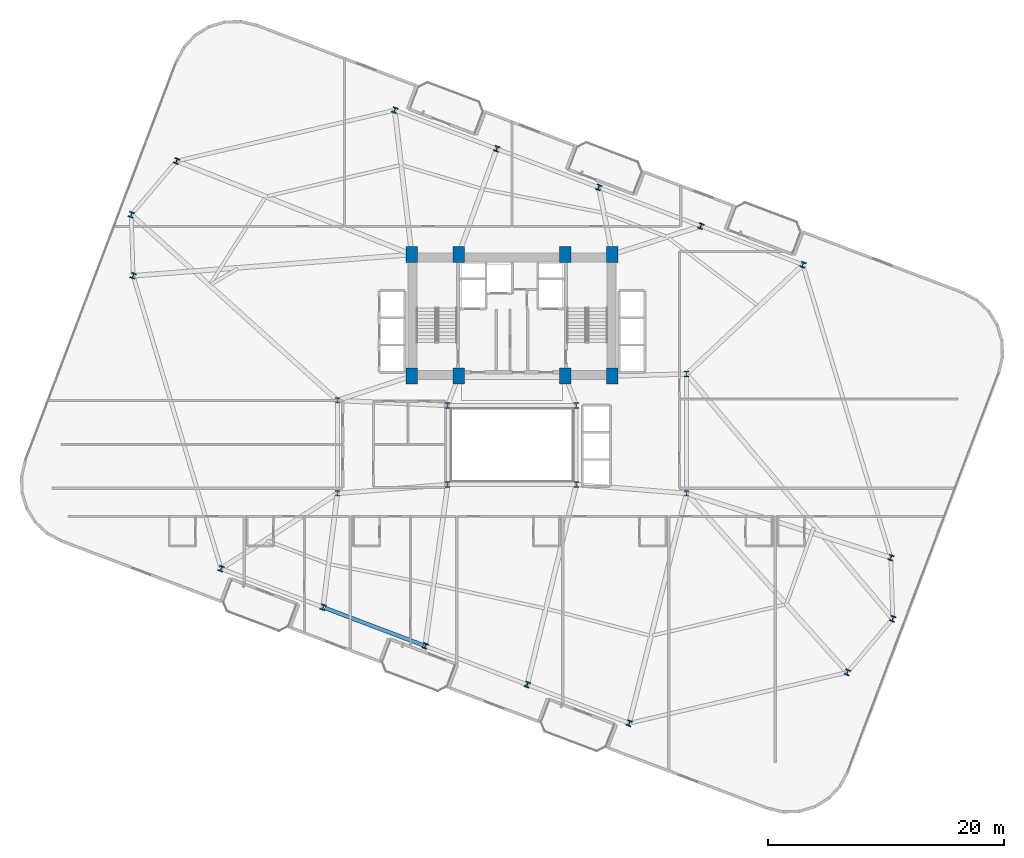
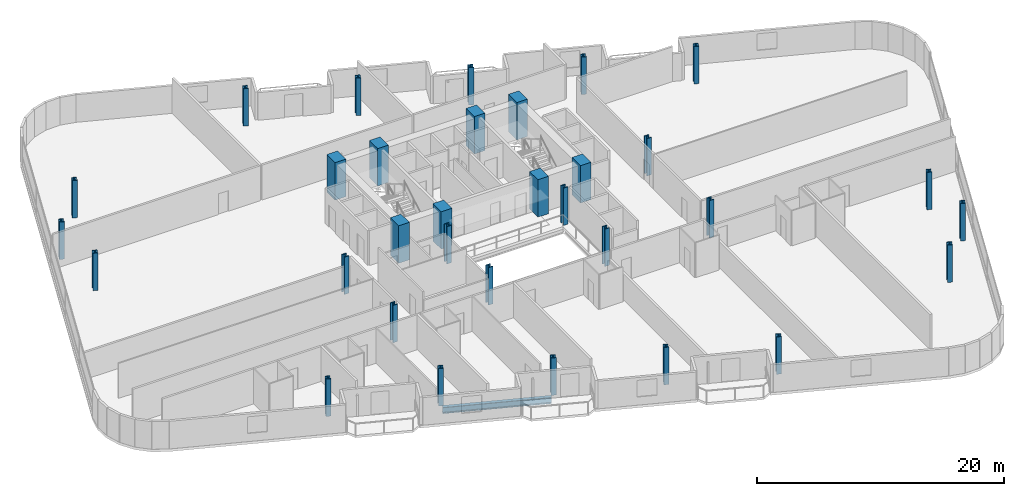
# One storey, part 1 of 25: 32 columns, 1 beam.
"""IFC4 building model written with IfcOpenShell, lengths in metres."""

from ifc_helpers import new_model, si_unit, direction, frame, origin, origin_2d, place, context, subcontext, project, spatial, rectangle, i_section, extrude, material, material_profile, profile_set, type_object, element, save


model = new_model("IFC4")

# Units and contexts
model_context = context("Model", 3, precision=1e-05, world=origin(), true_north=direction((0.0, 1.0)))
body_context = subcontext(model_context, "Body", "Model", "MODEL_VIEW")
ifc_project = project(units=[si_unit("LENGTHUNIT", "METRE"), si_unit("AREAUNIT", "SQUARE_METRE"), si_unit("VOLUMEUNIT", "CUBIC_METRE"), si_unit("PLANEANGLEUNIT", "RADIAN"), si_unit("MASSUNIT", "GRAM", prefix="KILO")], contexts=[model_context])

# Site, building, storey
site_placement = place(None, origin())
site = spatial("IfcSite", under=ifc_project, at=site_placement, CompositionType="ELEMENT")
building_placement = place(site_placement, origin())
building = spatial("IfcBuilding", under=site, at=building_placement, Name="Varnelok Gate Tower", CompositionType="ELEMENT")
storey_placement = place(building_placement, frame((0.0, 0.0, 79.89990234375)))
storey = spatial("IfcBuildingStorey", under=building, at=storey_placement, Name="L19", CompositionType="ELEMENT", Elevation=79.89990234375)

# Columns
ifc_material_1 = material(Name="Concrete C70/85", Category="concrete")
ifc_material_profile_1 = material_profile(ifc_material_1, rectangle(XDim=1.0, YDim=1.35009765625, at=origin_2d()), Name="RC1350X1000")
ifc_profile_set_1 = profile_set([ifc_material_profile_1], Name="Concrete C70/85")
column_type_1 = type_object("IfcColumnType", Name="COL-RC1350X1000", PredefinedType="COLUMN", material=ifc_profile_set_1)
for number, where, z_axis, x_axis, name in (
    (1, (30.699951171875, 28.75, 0.0), (0.0, 0.0, 1.0), (1.0, 0.0, 0.0), "L19 Core Spine Column SC1"),
    (2, (34.679931640625, 28.75, 0.0), (0.0, 0.0, 1.0), (1.0, 0.0, 0.0), "L19 Core Spine Column SC2"),
    (3, (43.719970703125, 28.75, 0.0), (0.0, 0.0, 1.0), (1.0, 0.0, 0.0), "L19 Core Spine Column SC3"),
    (4, (47.699951171875, 28.75, 0.0), (0.0, 0.0, 1.0), (1.0, 0.0, 0.0), "L19 Core Spine Column SC4"),
    (5, (30.699951171875, 39.050048828125, 0.0), (0.0, 0.0, 1.0), (1.0, 0.0, 0.0), "L19 Core Spine Column SC5"),
    (6, (34.679931640625, 39.050048828125, 0.0), (0.0, 0.0, 1.0), (1.0, 0.0, 0.0), "L19 Core Spine Column SC6"),
    (7, (43.719970703125, 39.050048828125, 0.0), (0.0, 0.0, 1.0), (1.0, 0.0, 0.0), "L19 Core Spine Column SC7"),
    (8, (47.699951171875, 39.050048828125, 0.0), (0.0, 0.0, 1.0), (1.0, 0.0, 0.0), "L19 Core Spine Column SC8"),
):
    element("IfcColumn", number, at=place(storey_placement, frame(where, z_axis=z_axis, x_axis=x_axis)), inside=storey, type_object=column_type_1, Name=name, PredefinedType="COLUMN", context=body_context, shape_type="SweptSolid", body=[
        extrude(rectangle(XDim=1.0, YDim=1.35009765625, at=origin_2d()), origin(), (0.0, 0.0, 1.0), 3.7001953125),
    ])
ifc_material_2 = material(Name="Structural Steel ASTM A992 Grade 50", Category="steel")
ifc_material_profile_2 = material_profile(ifc_material_2, i_section(OverallWidth=0.424072265625, OverallDepth=0.47412109375, WebThickness=0.047607421875, FlangeThickness=0.0771484375, FilletRadius=0.02490234375, at=origin_2d()), Name="W14X426")
ifc_profile_set_2 = profile_set([ifc_material_profile_2], Name="Structural Steel ASTM A992 Grade 50")
column_type_2 = type_object("IfcColumnType", Name="COL-W14X426", PredefinedType="COLUMN", material=ifc_profile_set_2)
for number, where, z_axis, x_axis, name in (
    (9, (33.75, 19.550048828125, 0.0), (0.0, 0.0, 1.0), (1.0, 0.0, 0.0), "L19 Atrium Spine Column AC1"),
    (10, (44.64990234375, 19.550048828125, 0.0), (0.0, 0.0, 1.0), (1.0, 0.0, 0.0), "L19 Atrium Spine Column AC2"),
    (11, (33.75, 26.25, 0.0), (0.0, 0.0, 1.0), (1.0, 0.0, 0.0), "L19 Atrium Spine Column AC3"),
    (12, (44.64990234375, 26.25, 0.0), (0.0, 0.0, 1.0), (1.0, 0.0, 0.0), "L19 Atrium Spine Column AC4"),
    (13, (24.39990234375, 18.800048828125, 0.0), (0.0, 0.0, 1.0), (1.0, 0.0, 0.0), "L19 Wing Spine Column WS1"),
    (14, (24.39990234375, 26.679931640625, 0.0), (0.0, 0.0, 1.0), (1.0, 0.0, 0.0), "L19 Wing Spine Column WS2"),
    (15, (54.0, 18.800048828125, 0.0), (0.0, 0.0, 1.0), (1.0, 0.0, 0.0), "L19 Wing Spine Column ES1"),
    (16, (54.0, 28.919921875, 0.0), (0.0, 0.0, 1.0), (1.0, 0.0, 0.0), "L19 Wing Spine Column ES2"),
    (17, (14.541015625, 12.416259765625, 0.0), (0.0, 0.0, 1.0), (0.935221751401, -0.354062530786, 0.0), "L19 B2 Perimeter Column PC01"),
    (18, (23.19189453125, 9.14111328125, 0.0), (0.0, 0.0, 1.0), (0.935221751401, -0.354062530786, 0.0), "L19 B2 Perimeter Column PC02"),
    (19, (31.842529296875, 5.8662109375, 0.0), (0.0, 0.0, 1.0), (0.935221751401, -0.354062530786, 0.0), "L19 B2 Perimeter Column PC03"),
    (20, (40.493408203125, 2.591064453125, 0.0), (0.0, 0.0, 1.0), (0.935221751401, -0.354062530786, 0.0), "L19 B2 Perimeter Column PC04"),
    (21, (49.144287109375, -0.68408203125, 0.0), (0.0, 0.0, 1.0), (0.935221751401, -0.354062530786, 0.0), "L19 B2 Perimeter Column PC05"),
    (22, (67.63671875, 3.627685546875, 0.0), (0.0, 0.0, 1.0), (0.935221751401, -0.354062530786, 0.0), "L19 B2 Perimeter Column PC06"),
    (23, (71.4765625, 8.172607421875, 0.0), (0.0, 0.0, 1.0), (0.935221751401, -0.354062530786, 0.0), "L19 B2 Perimeter Column PC07"),
    (24, (71.319091796875, 13.35400390625, 0.0), (0.0, 0.0, 1.0), (0.935221751401, -0.354062530786, 0.0), "L19 B2 Perimeter Column PC08"),
    (25, (63.85888671875, 38.183837890625, 0.0), (0.0, 0.0, 1.0), (0.935221751401, -0.354062530786, 0.0), "L19 B2 Perimeter Column PC09"),
    (26, (55.208251953125, 41.458740234375, 0.0), (0.0, 0.0, 1.0), (0.935221751401, -0.354062530786, 0.0), "L19 B2 Perimeter Column PC10"),
    (27, (46.557373046875, 44.73388671875, 0.0), (0.0, 0.0, 1.0), (0.935221751401, -0.354062530786, 0.0), "L19 B2 Perimeter Column PC11"),
    (28, (37.906494140625, 48.009033203125, 0.0), (0.0, 0.0, 1.0), (0.935221751401, -0.354062530786, 0.0), "L19 B2 Perimeter Column PC12"),
    (29, (29.255859375, 51.2841796875, 0.0), (0.0, 0.0, 1.0), (0.935221751401, -0.354062530786, 0.0), "L19 B2 Perimeter Column PC13"),
    (30, (10.76318359375, 46.972412109375, 0.0), (0.0, 0.0, 1.0), (0.935221751401, -0.354062530786, 0.0), "L19 B2 Perimeter Column PC14"),
    (31, (6.92333984375, 42.427490234375, 0.0), (0.0, 0.0, 1.0), (0.935221751401, -0.354062530786, 0.0), "L19 B2 Perimeter Column PC15"),
    (32, (7.0810546875, 37.24609375, 0.0), (0.0, 0.0, 1.0), (0.935221751401, -0.354062530786, 0.0), "L19 B2 Perimeter Column PC16"),
):
    element("IfcColumn", number, at=place(storey_placement, frame(where, z_axis=z_axis, x_axis=x_axis)), inside=storey, type_object=column_type_2, Name=name, PredefinedType="COLUMN", context=body_context, shape_type="SweptSolid", body=[
        extrude(i_section(OverallWidth=0.424072265625, OverallDepth=0.47412109375, WebThickness=0.047607421875, FlangeThickness=0.0771484375, FilletRadius=0.02490234375, at=origin_2d()), origin(), (0.0, 0.0, 1.0), 3.7001953125),
    ])

# Beam
ifc_material_profile_3 = material_profile(ifc_material_2, i_section(OverallWidth=0.323974609375, OverallDepth=0.611083984375, WebThickness=0.0126953125, FlangeThickness=0.01904296875, FilletRadius=0.01806640625, at=origin_2d()), Name="W24X104")
ifc_profile_set_3 = profile_set([ifc_material_profile_3], Name="Structural Steel ASTM A992 Grade 50")
beam_type = type_object("IfcBeamType", Name="BM-SPN-W24X104", PredefinedType="SPANDREL", material=ifc_profile_set_3)
beam_placement = place(storey_placement, frame((23.33203125, 9.088134765625, -0.555419921875), z_axis=(0.935220356141, -0.354066216208, 0.0), x_axis=(0.354066216208, 0.935220356141, 0.0)))
element("IfcBeam", 33, at=beam_placement, inside=storey, type_object=beam_type, Name="L19 Perimeter Spandrel Beam 2", PredefinedType="SPANDREL", context=body_context, shape_type="SweptSolid", body=[
    extrude(i_section(OverallWidth=0.323974609375, OverallDepth=0.611083984375, WebThickness=0.0126953125, FlangeThickness=0.01904296875, FilletRadius=0.01806640625, at=origin_2d()), origin(), (0.0, 0.0, 1.0), 8.9501953125),
])

save(model, "model.ifc")
